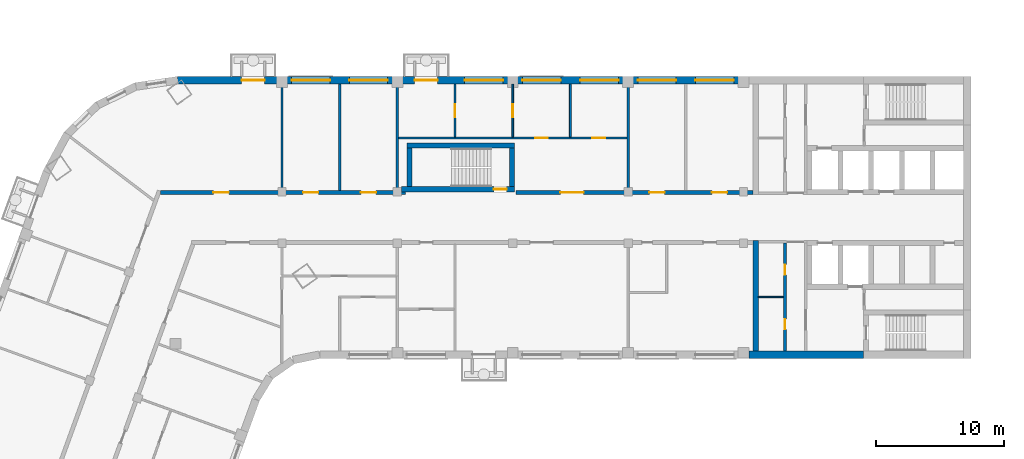
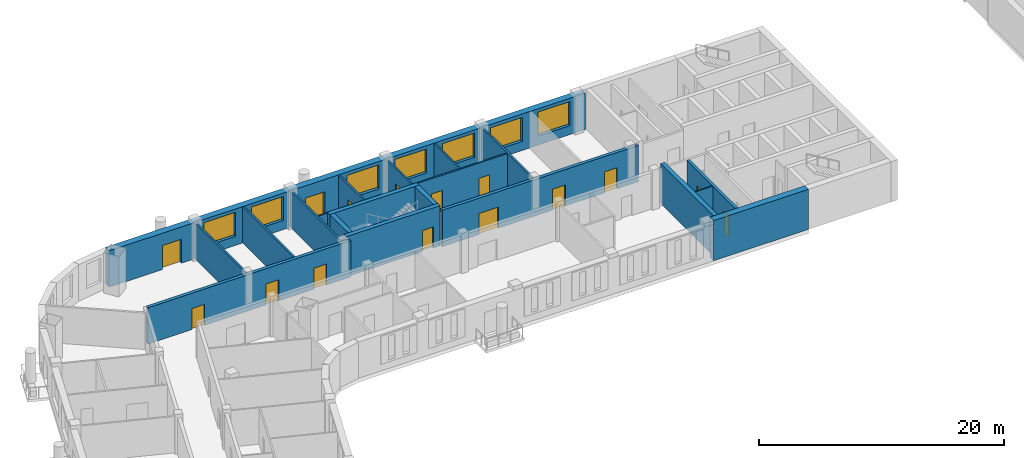
# One storey, part 5 of 13: 19 walls, 15 doors, 7 windows, 22 openings.
"""IFC4 building model written with IfcOpenShell, lengths in metres."""

import ifcopenshell
import ifcopenshell.guid

model = None  # the IFC model being written
_history = None  # IfcOwnerHistory: only IFC2X3 demands one
_inside = {}  # id of a spatial element -> (the spatial element, [elements in it])
_under = {}  # id of a project, library or spatial element -> (it, [spatial elements below it])
_declared = {}  # id of a project -> (the project, [libraries it declares])
_typed = {}  # id of a type object -> (the type object, [elements of that type])
_made_of = {}  # id of a material, layer set ... -> (it, [elements and type objects made of it])


def new_model(schema):
    """Start an empty IFC model of exactly this schema.

    Asked for "IFC4X3", IfcOpenShell would pick the latest addendum, in which some entities
    have other attributes; the version numbers below select the first issue.
    IFC2X3 requires an IfcOwnerHistory on every rooted entity: one is made here for all.
    """
    global model, _history
    if schema == "IFC4X3":
        model = ifcopenshell.file(schema_version=(4, 3, 0, 0))
    else:
        model = ifcopenshell.file(schema=schema)
    _inside.clear()
    _under.clear()
    _declared.clear()
    _typed.clear()
    _made_of.clear()
    _history = None
    if model.schema == "IFC2X3":
        org = make("IfcOrganization", Name="unknown")
        user = make(
            "IfcPersonAndOrganization",
            ThePerson=make("IfcPerson", FamilyName="unknown"),
            TheOrganization=org,
        )
        app = make(
            "IfcApplication",
            ApplicationDeveloper=org,
            Version="unknown",
            ApplicationFullName="unknown",
            ApplicationIdentifier="unknown",
        )
        _history = make(
            "IfcOwnerHistory",
            OwningUser=user,
            OwningApplication=app,
            ChangeAction="ADDED",
            CreationDate=0,
        )
    return model


def make(cls, **values):
    """One entity of the class cls with the attributes given. An attribute that is None is left unset."""
    return model.create_entity(
        cls, **{name: value for name, value in values.items() if value is not None}
    )


def rooted(cls, **values):
    """An entity with a GlobalId (a new one), such as an element, a storey or a relation."""
    return make(cls, GlobalId=ifcopenshell.guid.new(), OwnerHistory=_history, **values)


def si_unit(unit_type, name, prefix=None):
    """IfcSIUnit, for example si_unit("LENGTHUNIT", "METRE", prefix="MILLI")."""
    return make("IfcSIUnit", UnitType=unit_type, Prefix=prefix, Name=name)


def assignment(units):
    """IfcUnitAssignment: the units of a project."""
    return None if units is None else make("IfcUnitAssignment", Units=units)


def point(xyz):
    """IfcCartesianPoint."""
    return None if xyz is None else make("IfcCartesianPoint", Coordinates=xyz)


def direction(xyz):
    """IfcDirection."""
    return None if xyz is None else make("IfcDirection", DirectionRatios=xyz)


def frame(location, z_axis=None, x_axis=None):
    """IfcAxis2Placement3D, a coordinate frame: its origin and axes. An axis left out is left unset."""
    return make(
        "IfcAxis2Placement3D",
        Location=point(location),
        Axis=direction(z_axis),
        RefDirection=direction(x_axis),
    )


def frame_2d(location, x_axis=None):
    """IfcAxis2Placement2D, a coordinate frame in the plane: its origin and x axis."""
    return make(
        "IfcAxis2Placement2D", Location=point(location), RefDirection=direction(x_axis)
    )


def origin():
    """The frame at (0, 0, 0) with its axes left unset."""
    return frame((0.0, 0.0, 0.0))


def place(relative_to, where):
    """IfcLocalPlacement: puts the frame where relative to a parent placement (None: the world)."""
    return make(
        "IfcLocalPlacement", PlacementRelTo=relative_to, RelativePlacement=where
    )


def context(
    kind, dimensions, precision=None, world=None, true_north=None, identifier=None
):
    """IfcGeometricRepresentationContext, for example the 3D "Model" context."""
    return make(
        "IfcGeometricRepresentationContext",
        ContextIdentifier=identifier,
        ContextType=kind,
        CoordinateSpaceDimension=dimensions,
        Precision=precision,
        WorldCoordinateSystem=world,
        TrueNorth=true_north,
    )


def subcontext(parent, identifier, kind, view, scale=None):
    """IfcGeometricRepresentationSubContext, for example "Body" below "Model"."""
    return make(
        "IfcGeometricRepresentationSubContext",
        ContextIdentifier=identifier,
        ContextType=kind,
        ParentContext=parent,
        TargetScale=scale,
        TargetView=view,
    )


def project(units=None, contexts=None):
    """IfcProject with its units and contexts."""
    return rooted(
        "IfcProject",
        Name="project",
        RepresentationContexts=contexts,
        UnitsInContext=assignment(units),
    )


def spatial(cls, under=None, at=None, **own):
    """A site, building, storey or space (cls), placed at a placement, below another one or the project."""
    s = rooted(cls, ObjectPlacement=at, **own)
    if under is not None:
        _under.setdefault(under.id(), (under, []))[1].append(s)
    return s


def profile(cls, at=None, kind="AREA", **sizes):
    """A parametric profile (cls). Its sizes go by their IFC names, for example OverallWidth=200.0."""
    return make(cls, ProfileType=kind, Position=at, **sizes)


def rectangle(**sizes):
    """IfcRectangleProfileDef."""
    return profile("IfcRectangleProfileDef", **sizes)


def extrude(swept, where, along, depth):
    """IfcExtrudedAreaSolid: the profile swept, set in the frame where, extruded along a direction by depth."""
    return make(
        "IfcExtrudedAreaSolid",
        SweptArea=swept,
        Position=where,
        ExtrudedDirection=direction(along),
        Depth=depth,
    )


def shape(context_of_items, identifier, shape_type, items):
    """IfcShapeRepresentation: the items that make up one representation, for example the "Body"."""
    return make(
        "IfcShapeRepresentation",
        ContextOfItems=context_of_items,
        RepresentationIdentifier=identifier,
        RepresentationType=shape_type,
        Items=items,
    )


def material(Name=None, Category=None):
    """IfcMaterial."""
    return make("IfcMaterial", Name=Name, Category=Category)


def layer(
    of_material, thickness, ventilated=None, Name=None, Category=None, Priority=None
):
    """IfcMaterialLayer: one layer of a wall or slab, of a material (None: an air gap)."""
    return make(
        "IfcMaterialLayer",
        Material=of_material,
        LayerThickness=thickness,
        IsVentilated=ventilated,
        Name=Name,
        Category=Category,
        Priority=Priority,
    )


def layer_set(layers, Name=None):
    """IfcMaterialLayerSet."""
    return make("IfcMaterialLayerSet", MaterialLayers=layers, LayerSetName=Name)


def made_of(thing, what):
    """Note that an element or type object is made of a material, layer set ...; save() writes the relation."""
    if what is not None:
        _made_of.setdefault(what.id(), (what, []))[1].append(thing)
    return thing


def type_object(cls, material=None, **own):
    """A type object (cls), such as IfcWallType, which elements share."""
    return made_of(rooted(cls, **own), material)


def element(
    cls,
    number,
    at=None,
    inside=None,
    cuts=None,
    type_object=None,
    material=None,
    context=None,
    identifier="Body",
    shape_type=None,
    held_by="IfcProductDefinitionShape",
    body=None,
    shapes=None,
    **own,
):
    """One element of the class cls, such as IfcWall. Its Tag is "e" and its number.

    at: its placement. inside: the storey or other place that contains it. cuts: it is an
    opening in that element (IfcRelVoidsElement). A single representation is given by context,
    identifier, shape_type and body (its items); several are given by shapes. held_by: the class
    of the entity that holds the representations. save() writes the other relations.
    """
    e = rooted(cls, Tag="e%d" % number, ObjectPlacement=at, **own)
    if body is not None:
        shapes = [shape(context, identifier, shape_type, body)]
    if shapes is not None:
        e.Representation = make(held_by, Representations=shapes)
    if inside is not None:
        _inside.setdefault(inside.id(), (inside, []))[1].append(e)
    if cuts is not None:
        rooted(
            "IfcRelVoidsElement", RelatingBuildingElement=cuts, RelatedOpeningElement=e
        )
    if type_object is not None:
        _typed.setdefault(type_object.id(), (type_object, []))[1].append(e)
    return made_of(e, material)


def fill(opening, filler):
    """IfcRelFillsElement: the door or window that sits in an opening."""
    return rooted(
        "IfcRelFillsElement",
        RelatingOpeningElement=opening,
        RelatedBuildingElement=filler,
    )


def aggregate(whole, parts):
    """IfcRelAggregates: a whole, such as a stair, and the parts it consists of."""
    return rooted("IfcRelAggregates", RelatingObject=whole, RelatedObjects=parts)


def save(model, path):
    """Write the relations noted so far, then the file.

    IfcRelAggregates (storeys below a building ...), IfcRelContainedInSpatialStructure (elements
    in a storey), IfcRelDefinesByType, IfcRelAssociatesMaterial and IfcRelDeclares: one each for
    every whole, place, type object, material and project.
    """
    for whole, parts in _under.values():
        aggregate(whole, parts)
    for where, things in _inside.values():
        rooted(
            "IfcRelContainedInSpatialStructure",
            RelatedElements=things,
            RelatingStructure=where,
        )
    for kind, things in _typed.values():
        rooted("IfcRelDefinesByType", RelatedObjects=things, RelatingType=kind)
    for what, things in _made_of.values():
        rooted("IfcRelAssociatesMaterial", RelatedObjects=things, RelatingMaterial=what)
    for by, libraries in _declared.values():
        rooted("IfcRelDeclares", RelatingContext=by, RelatedDefinitions=libraries)
    model.write(path)


model = new_model("IFC4")

# Units and contexts
model_context = context("Model", 3, precision=1e-05, world=origin(), true_north=direction((0.0, 1.0)))
body_context = subcontext(model_context, "Body", "Model", "MODEL_VIEW")
ifc_project = project(units=[si_unit("LENGTHUNIT", "METRE"), si_unit("AREAUNIT", "SQUARE_METRE"), si_unit("VOLUMEUNIT", "CUBIC_METRE"), si_unit("PLANEANGLEUNIT", "RADIAN"), si_unit("MASSUNIT", "GRAM", prefix="KILO")], contexts=[model_context])

# Site, building, storey
site_placement = place(None, origin())
site = spatial("IfcSite", under=ifc_project, at=site_placement, CompositionType="ELEMENT")
building_placement = place(site_placement, origin())
building = spatial("IfcBuilding", under=site, at=building_placement, Name="Skarvind Civic Tower", CompositionType="ELEMENT")
storey_placement = place(building_placement, frame((0.0, 0.0, 93.0)))
storey = spatial("IfcBuildingStorey", under=building, at=storey_placement, Name="L21", CompositionType="ELEMENT", Elevation=93.0)

# Walls
ifc_material_1 = material(Name="Acoustic gypsum board on steel studs", Category="steel")
ifc_layer_1 = layer(ifc_material_1, 0.175048828125)
ifc_layer_set_1 = layer_set([ifc_layer_1], Name="ACOUSTIC MEETING-ROOM PARTITION 175")
wall_type_1 = type_object("IfcWallType", Name="ACOUSTIC MEETING-ROOM PARTITION 175", PredefinedType="PARTITIONING", material=ifc_layer_set_1)
for number, where, z_axis, x_axis, name in (
    (1, (54.25, 138.39990234375, 0.0), (0.0, 0.0, 1.0), (0.0, -1.0, 0.0), "Partition 21.021"),
    (2, (58.75, 130.10009765625, 0.0), (0.0, 0.0, 1.0), (0.0, 1.0, 0.0), "Partition 21.023"),
    (3, (63.25, 130.10009765625, 0.0), (0.0, 0.0, 1.0), (0.0, 1.0, 0.0), "Partition 21.028"),
    (4, (81.25, 130.10009765625, 0.0), (0.0, 0.0, 1.0), (0.0, 1.0, 0.0), "Partition 21.036"),
):
    element("IfcWall", number, at=place(storey_placement, frame(where, z_axis=z_axis, x_axis=x_axis)), inside=storey, type_object=wall_type_1, Name=name, PredefinedType="PARTITIONING", context=body_context, shape_type="SweptSolid", body=[
        extrude(rectangle(XDim=8.2998046875, YDim=0.175048828125, at=frame_2d((4.14990234375, 0.0))), origin(), (0.0, 0.0, 1.0), 3.625),
    ])

# Wall, openings, doors
ifc_material_2 = material(Name="Fire-rated gypsum board on steel studs", Category="steel")
ifc_layer_2 = layer(ifc_material_2, 0.300048828125)
ifc_layer_set_2 = layer_set([ifc_layer_2], Name="CORRIDOR WALL 300")
wall_type_2 = type_object("IfcWallType", Name="CORRIDOR WALL 300", PredefinedType="PARTITIONING", material=ifc_layer_set_2)
wall_1_placement = place(storey_placement, frame((44.784912109375, 129.949951171875, 0.0), z_axis=(0.0, 0.0, 1.0), x_axis=(1.0, 0.0, 0.0)))
wall_1 = element("IfcWall", 5, at=wall_1_placement, inside=storey, type_object=wall_type_2, Name="Partition 21.015", PredefinedType="PARTITIONING", context=body_context, shape_type="SweptSolid", body=[
    extrude(rectangle(XDim=19.114990234375, YDim=0.300048828125, at=frame_2d((9.5576171875, 0.0))), origin(), (0.0, 0.0, 1.0), 3.625),
])
opening_1_placement = place(wall_1_placement, frame((15.614990234375, 0.0, 0.0)))
opening_1 = element("IfcOpeningElement", 6, at=opening_1_placement, cuts=wall_1, Name="Opening L21-D006", PredefinedType="OPENING", context=body_context, shape_type="SweptSolid", body=[
    extrude(rectangle(XDim=1.199951171875, YDim=2.10009765625, at=frame_2d((0.60009765625, 1.050048828125))), frame((0.0, 0.159912109375, 0.0), z_axis=(0.0, -1.0, 0.0), x_axis=(1.0, 0.0, 0.0)), (0.0, 0.0, 1.0), 0.320068359375),
])
opening_2_placement = place(wall_1_placement, frame((11.114990234375, 0.0, 0.0)))
opening_2 = element("IfcOpeningElement", 7, at=opening_2_placement, cuts=wall_1, Name="Opening L21-D007", PredefinedType="OPENING", context=body_context, shape_type="SweptSolid", body=[
    extrude(rectangle(XDim=1.199951171875, YDim=2.10009765625, at=frame_2d((0.60009765625, 1.050048828125))), frame((0.0, 0.159912109375, 0.0), z_axis=(0.0, -1.0, 0.0), x_axis=(1.0, 0.0, 0.0)), (0.0, 0.0, 1.0), 0.320068359375),
])
opening_3_placement = place(wall_1_placement, frame((4.12255859375, 0.0, 0.0)))
opening_3 = element("IfcOpeningElement", 8, at=opening_3_placement, cuts=wall_1, Name="Opening L21-D026", PredefinedType="OPENING", context=body_context, shape_type="SweptSolid", body=[
    extrude(rectangle(XDim=1.199951171875, YDim=2.10009765625, at=frame_2d((0.60009765625, 1.050048828125))), frame((0.0, 0.159912109375, 0.0), z_axis=(0.0, -1.0, 0.0), x_axis=(1.0, 0.0, 0.0)), (0.0, 0.0, 1.0), 0.320068359375),
])
ifc_material_3 = material(Name="Fire-rated timber door leaf", Category="wood")
door_type_1 = type_object("IfcDoorType", Name="FD6 1200x2100 DOUBLE", OperationType="NOTDEFINED", PredefinedType="DOOR", material=ifc_material_3)
door_1_placement = place(opening_1_placement, origin())
door_1 = element("IfcDoor", 9, at=door_1_placement, inside=storey, type_object=door_type_1, Name="Door L21-D006", OperationType="DOUBLE_DOOR_SINGLE_SWING", OverallHeight=2.10009765625, OverallWidth=1.199951171875, PredefinedType="DOOR", context=body_context, shape_type="SweptSolid", body=[
    extrude(rectangle(XDim=1.199951171875, YDim=2.10009765625, at=frame_2d((0.60009765625, 1.050048828125))), frame((0.0, 0.02490234375, 0.0), z_axis=(0.0, -1.0, 0.0), x_axis=(1.0, 0.0, 0.0)), (0.0, 0.0, 1.0), 0.050048828125),
])
fill(opening_1, door_1)
door_2_placement = place(opening_2_placement, origin())
door_2 = element("IfcDoor", 10, at=door_2_placement, inside=storey, type_object=door_type_1, Name="Door L21-D007", OperationType="DOUBLE_DOOR_SINGLE_SWING", OverallHeight=2.10009765625, OverallWidth=1.199951171875, PredefinedType="DOOR", context=body_context, shape_type="SweptSolid", body=[
    extrude(rectangle(XDim=1.199951171875, YDim=2.10009765625, at=frame_2d((0.60009765625, 1.050048828125))), frame((0.0, 0.02490234375, 0.0), z_axis=(0.0, -1.0, 0.0), x_axis=(1.0, 0.0, 0.0)), (0.0, 0.0, 1.0), 0.050048828125),
])
fill(opening_2, door_2)
door_3_placement = place(opening_3_placement, origin())
door_3 = element("IfcDoor", 11, at=door_3_placement, inside=storey, type_object=door_type_1, Name="Door L21-D026", OperationType="DOUBLE_DOOR_SINGLE_SWING", OverallHeight=2.10009765625, OverallWidth=1.199951171875, PredefinedType="DOOR", context=body_context, shape_type="SweptSolid", body=[
    extrude(rectangle(XDim=1.199951171875, YDim=2.10009765625, at=frame_2d((0.60009765625, 1.050048828125))), frame((0.0, 0.02490234375, 0.0), z_axis=(0.0, -1.0, 0.0), x_axis=(1.0, 0.0, 0.0)), (0.0, 0.0, 1.0), 0.050048828125),
])
fill(opening_3, door_3)

wall_2_placement = place(storey_placement, frame((72.5, 129.949951171875, 0.0), z_axis=(0.0, 0.0, 1.0), x_axis=(1.0, 0.0, 0.0)))
wall_2 = element("IfcWall", 12, at=wall_2_placement, inside=storey, type_object=wall_type_2, Name="Partition 21.033", PredefinedType="PARTITIONING", context=body_context, shape_type="SweptSolid", body=[
    extrude(rectangle(XDim=18.5, YDim=0.300048828125, at=frame_2d((9.25, 0.0))), origin(), (0.0, 0.0, 1.0), 3.625),
])
opening_4_placement = place(wall_2_placement, frame((15.27490234375, 0.0, 0.0)))
opening_4 = element("IfcOpeningElement", 13, at=opening_4_placement, cuts=wall_2, Name="Opening L21-D001", PredefinedType="OPENING", context=body_context, shape_type="SweptSolid", body=[
    extrude(rectangle(XDim=1.199951171875, YDim=2.10009765625, at=frame_2d((0.60009765625, 1.050048828125))), frame((0.0, 0.159912109375, 0.0), z_axis=(0.0, -1.0, 0.0), x_axis=(1.0, 0.0, 0.0)), (0.0, 0.0, 1.0), 0.320068359375),
])
opening_5_placement = place(wall_2_placement, frame((10.39990234375, 0.0, 0.0)))
opening_5 = element("IfcOpeningElement", 14, at=opening_5_placement, cuts=wall_2, Name="Opening L21-D002", PredefinedType="OPENING", context=body_context, shape_type="SweptSolid", body=[
    extrude(rectangle(XDim=1.199951171875, YDim=2.10009765625, at=frame_2d((0.60009765625, 1.050048828125))), frame((0.0, 0.159912109375, 0.0), z_axis=(0.0, -1.0, 0.0), x_axis=(1.0, 0.0, 0.0)), (0.0, 0.0, 1.0), 0.320068359375),
])
opening_6_placement = place(wall_2_placement, frame((3.47509765625, 0.0, 0.0)))
opening_6 = element("IfcOpeningElement", 15, at=opening_6_placement, cuts=wall_2, Name="Opening L21-D005", PredefinedType="OPENING", context=body_context, shape_type="SweptSolid", body=[
    extrude(rectangle(XDim=1.800048828125, YDim=2.10009765625, at=frame_2d((0.89990234375, 1.050048828125))), frame((0.0, 0.159912109375, 0.0), z_axis=(0.0, -1.0, 0.0), x_axis=(1.0, 0.0, 0.0)), (0.0, 0.0, 1.0), 0.320068359375),
])
door_type_2 = type_object("IfcDoorType", Name="FD4 1800x2100", OperationType="NOTDEFINED", PredefinedType="DOOR", material=ifc_material_3)
door_4_placement = place(opening_6_placement, origin())
door_4 = element("IfcDoor", 16, at=door_4_placement, inside=storey, type_object=door_type_2, Name="Door L21-D005", OperationType="DOUBLE_DOOR_SINGLE_SWING", OverallHeight=2.10009765625, OverallWidth=1.800048828125, PredefinedType="DOOR", context=body_context, shape_type="SweptSolid", body=[
    extrude(rectangle(XDim=1.800048828125, YDim=2.10009765625, at=frame_2d((0.89990234375, 1.050048828125))), frame((0.0, 0.02490234375, 0.0), z_axis=(0.0, -1.0, 0.0), x_axis=(1.0, 0.0, 0.0)), (0.0, 0.0, 1.0), 0.050048828125),
])
fill(opening_6, door_4)
door_5_placement = place(opening_4_placement, origin())
door_5 = element("IfcDoor", 17, at=door_5_placement, inside=storey, type_object=door_type_1, Name="Door L21-D001", OperationType="DOUBLE_DOOR_SINGLE_SWING", OverallHeight=2.10009765625, OverallWidth=1.199951171875, PredefinedType="DOOR", context=body_context, shape_type="SweptSolid", body=[
    extrude(rectangle(XDim=1.199951171875, YDim=2.10009765625, at=frame_2d((0.60009765625, 1.050048828125))), frame((0.0, 0.02490234375, 0.0), z_axis=(0.0, -1.0, 0.0), x_axis=(1.0, 0.0, 0.0)), (0.0, 0.0, 1.0), 0.050048828125),
])
fill(opening_4, door_5)
door_6_placement = place(opening_5_placement, origin())
door_6 = element("IfcDoor", 18, at=door_6_placement, inside=storey, type_object=door_type_1, Name="Door L21-D002", OperationType="DOUBLE_DOOR_SINGLE_SWING", OverallHeight=2.10009765625, OverallWidth=1.199951171875, PredefinedType="DOOR", context=body_context, shape_type="SweptSolid", body=[
    extrude(rectangle(XDim=1.199951171875, YDim=2.10009765625, at=frame_2d((0.60009765625, 1.050048828125))), frame((0.0, 0.02490234375, 0.0), z_axis=(0.0, -1.0, 0.0), x_axis=(1.0, 0.0, 0.0)), (0.0, 0.0, 1.0), 0.050048828125),
])
fill(opening_5, door_6)

# Walls
ifc_material_4 = material(Name="Fire-rated plasterboard partition")
ifc_layer_3 = layer(ifc_material_4, 0.10009765625)
ifc_layer_set_3 = layer_set([ifc_layer_3], Name="Core partition wall 100")
wall_type_3 = type_object("IfcWallType", Name="Core partition wall 100", PredefinedType="PARTITIONING", material=ifc_layer_set_3)
wall_3_placement = place(storey_placement, frame((93.35009765625, 121.800048828125, 0.0), z_axis=(0.0, 0.0, 1.0), x_axis=(-1.0, 0.0, 0.0)))
element("IfcWall", 19, at=wall_3_placement, inside=storey, type_object=wall_type_3, Name="Core wall C1", PredefinedType="PARTITIONING", context=body_context, shape_type="SweptSolid", body=[
    extrude(rectangle(XDim=1.9501953125, YDim=0.10009765625, at=frame_2d((0.97509765625, 0.0))), origin(), (0.0, 0.0, 1.0), 3.625),
])
ifc_material_5 = material(Name="Concrete C80", Category="concrete")
ifc_layer_4 = layer(ifc_material_5, 0.39990234375)
ifc_layer_set_4 = layer_set([ifc_layer_4], Name="Core wall 400 C80")
wall_type_4 = type_object("IfcWallType", Name="Core wall 400 C80", PredefinedType="SHEAR", material=ifc_layer_set_4)
wall_4_placement = place(storey_placement, frame((91.199951171875, 126.199951171875, 0.0), z_axis=(0.0, 0.0, 1.0), x_axis=(0.0, -1.0, 0.0)))
element("IfcWall", 20, at=wall_4_placement, inside=storey, type_object=wall_type_4, Name="Core wall C1 north inner face L21", PredefinedType="SHEAR", context=body_context, shape_type="SweptSolid", body=[
    extrude(rectangle(XDim=8.599853515625, YDim=0.39990234375, at=frame_2d((4.2998046875, 0.0))), origin(), (0.0, 0.0, 1.0), 4.0),
])

# Wall, opening, door
wall_5_placement = place(storey_placement, frame((63.574951171875, 130.199951171875, 0.0), z_axis=(0.0, 0.0, 1.0), x_axis=(1.0, 0.0, 0.0)))
wall_5 = element("IfcWall", 21, at=wall_5_placement, inside=storey, type_object=wall_type_4, Name="Core wall CM inner L21", PredefinedType="SHEAR", context=body_context, shape_type="SweptSolid", body=[
    extrude(rectangle(XDim=8.824951171875, YDim=0.39990234375, at=frame_2d((4.41259765625, 0.0))), origin(), (0.0, 0.0, 1.0), 4.0),
])
opening_7_placement = place(wall_5_placement, frame((7.199951171875, 0.0, 0.0)))
opening_7 = element("IfcOpeningElement", 22, at=opening_7_placement, cuts=wall_5, Name="Opening D-L21-CM-01", PredefinedType="OPENING", context=body_context, shape_type="SweptSolid", body=[
    extrude(rectangle(XDim=1.0, YDim=2.10009765625, at=frame_2d((0.5, 1.050048828125))), frame((0.0, 0.2099609375, 0.0), z_axis=(0.0, -1.0, 0.0), x_axis=(1.0, 0.0, 0.0)), (0.0, 0.0, 1.0), 0.419921875),
])
ifc_material_6 = material(Name="Fire-rated steel door", Category="steel")
door_type_3 = type_object("IfcDoorType", Name="Fire door 1000", OperationType="NOTDEFINED", PredefinedType="DOOR", material=ifc_material_6)
door_7_placement = place(opening_7_placement, origin())
door_7 = element("IfcDoor", 23, at=door_7_placement, inside=storey, type_object=door_type_3, Name="Fire door", OperationType="SINGLE_SWING_LEFT", OverallHeight=2.10009765625, OverallWidth=1.0, PredefinedType="DOOR", context=body_context, shape_type="SweptSolid", body=[
    extrude(rectangle(XDim=1.0, YDim=2.10009765625, at=frame_2d((0.5, 1.050048828125))), frame((0.0, 0.02490234375, 0.0), z_axis=(0.0, -1.0, 0.0), x_axis=(1.0, 0.0, 0.0)), (0.0, 0.0, 1.0), 0.050048828125),
])
fill(opening_7, door_7)

# Walls
wall_6_placement = place(storey_placement, frame((64.0, 133.60009765625, 0.0), z_axis=(0.0, 0.0, 1.0), x_axis=(1.0, 0.0, 0.0)))
element("IfcWall", 24, at=wall_6_placement, inside=storey, type_object=wall_type_4, Name="Core wall CM outer L21", PredefinedType="SHEAR", context=body_context, shape_type="SweptSolid", body=[
    extrude(rectangle(XDim=8.39990234375, YDim=0.39990234375, at=frame_2d((4.199951171875, 0.0))), origin(), (0.0, 0.0, 1.0), 4.0),
])
for number, where, z_axis, x_axis, name in (
    (25, (64.199951171875, 130.39990234375, 0.0), (0.0, 0.0, 1.0), (0.0, 1.0, 0.0), "Core wall CM west L21"),
    (26, (72.199951171875, 130.39990234375, 0.0), (0.0, 0.0, 1.0), (0.0, 1.0, 0.0), "Core wall CM end L21"),
):
    element("IfcWall", number, at=place(storey_placement, frame(where, z_axis=z_axis, x_axis=x_axis)), inside=storey, type_object=wall_type_4, Name=name, PredefinedType="SHEAR", context=body_context, shape_type="SweptSolid", body=[
        extrude(rectangle(XDim=3.0, YDim=0.39990234375, at=frame_2d((1.5, 0.0))), origin(), (0.0, 0.0, 1.0), 4.0),
    ])
ifc_layer_5 = layer(ifc_material_5, 0.60009765625)
ifc_layer_set_5 = layer_set([ifc_layer_5], Name="Core wall 600 C80")
wall_type_5 = type_object("IfcWallType", Name="Core wall 600 C80", PredefinedType="SHEAR", material=ifc_layer_set_5)
wall_7_placement = place(storey_placement, frame((99.60009765625, 117.300048828125, 0.0), z_axis=(0.0, 0.0, 1.0), x_axis=(-1.0, 0.0, 0.0)))
element("IfcWall", 27, at=wall_7_placement, inside=storey, type_object=wall_type_5, Name="Core wall C1 north side L21", PredefinedType="SHEAR", context=body_context, shape_type="SweptSolid", body=[
    extrude(rectangle(XDim=8.925048828125, YDim=0.60009765625, at=frame_2d((4.46240234375, 0.0))), origin(), (0.0, 0.0, 1.0), 4.0),
])

# Wall, openings, doors
ifc_material_7 = material(Name="Plasterboard partition on steel studs", Category="steel")
ifc_layer_6 = layer(ifc_material_7, 0.14990234375)
ifc_layer_set_6 = layer_set([ifc_layer_6], Name="PARTITION 150")
wall_type_6 = type_object("IfcWallType", Name="PARTITION 150", PredefinedType="PARTITIONING", material=ifc_layer_set_6)
wall_8_placement = place(storey_placement, frame((81.162109375, 134.199951171875, 0.0), z_axis=(0.0, 0.0, 1.0), x_axis=(-1.0, 0.0, 0.0)))
wall_8 = element("IfcWall", 28, at=wall_8_placement, inside=storey, type_object=wall_type_6, Name="Partition 21.029", PredefinedType="PARTITIONING", context=body_context, shape_type="SweptSolid", body=[
    extrude(rectangle(XDim=17.82421875, YDim=0.14990234375, at=frame_2d((8.912109375, 0.0))), origin(), (0.0, 0.0, 1.0), 3.625),
])
opening_8_placement = place(wall_8_placement, frame((1.696044921875, 0.0, 0.0)))
opening_8 = element("IfcOpeningElement", 29, at=opening_8_placement, cuts=wall_8, Name="Opening L21-D003", PredefinedType="OPENING", context=body_context, shape_type="SweptSolid", body=[
    extrude(rectangle(XDim=1.0, YDim=2.10009765625, at=frame_2d((0.5, 1.050048828125))), frame((0.0, 0.0849609375, 0.0), z_axis=(0.0, -1.0, 0.0), x_axis=(1.0, 0.0, 0.0)), (0.0, 0.0, 1.0), 0.169921875),
])
opening_9_placement = place(wall_8_placement, frame((6.162109375, 0.0, 0.0)))
opening_9 = element("IfcOpeningElement", 30, at=opening_9_placement, cuts=wall_8, Name="Opening L21-D004", PredefinedType="OPENING", context=body_context, shape_type="SweptSolid", body=[
    extrude(rectangle(XDim=1.0, YDim=2.10009765625, at=frame_2d((0.5, 1.050048828125))), frame((0.0, 0.0849609375, 0.0), z_axis=(0.0, -1.0, 0.0), x_axis=(1.0, 0.0, 0.0)), (0.0, 0.0, 1.0), 0.169921875),
])
ifc_material_8 = material(Name="Timber door leaf", Category="wood")
door_type_4 = type_object("IfcDoorType", Name="D1 1000x2100", OperationType="NOTDEFINED", PredefinedType="DOOR", material=ifc_material_8)
door_8_placement = place(opening_8_placement, origin())
door_8 = element("IfcDoor", 31, at=door_8_placement, inside=storey, type_object=door_type_4, Name="Door L21-D003", OperationType="SINGLE_SWING_LEFT", OverallHeight=2.10009765625, OverallWidth=1.0, PredefinedType="DOOR", context=body_context, shape_type="SweptSolid", body=[
    extrude(rectangle(XDim=1.0, YDim=2.10009765625, at=frame_2d((0.5, 1.050048828125))), frame((0.0, 0.02490234375, 0.0), z_axis=(0.0, -1.0, 0.0), x_axis=(1.0, 0.0, 0.0)), (0.0, 0.0, 1.0), 0.050048828125),
])
fill(opening_8, door_8)
door_9_placement = place(opening_9_placement, origin())
door_9 = element("IfcDoor", 32, at=door_9_placement, inside=storey, type_object=door_type_4, Name="Door L21-D004", OperationType="SINGLE_SWING_RIGHT", OverallHeight=2.10009765625, OverallWidth=1.0, PredefinedType="DOOR", context=body_context, shape_type="SweptSolid", body=[
    extrude(rectangle(XDim=1.0, YDim=2.10009765625, at=frame_2d((0.5, 1.050048828125))), frame((0.0, 0.02490234375, 0.0), z_axis=(0.0, -1.0, 0.0), x_axis=(1.0, 0.0, 0.0)), (0.0, 0.0, 1.0), 0.050048828125),
])
fill(opening_9, door_9)

# Wall, opening, door
wall_9_placement = place(storey_placement, frame((67.75, 134.27490234375, 0.0), z_axis=(0.0, 0.0, 1.0), x_axis=(0.0, 1.0, 0.0)))
wall_9 = element("IfcWall", 33, at=wall_9_placement, inside=storey, type_object=wall_type_6, Name="Partition 21.031", PredefinedType="PARTITIONING", context=body_context, shape_type="SweptSolid", body=[
    extrude(rectangle(XDim=4.125, YDim=0.14990234375, at=frame_2d((2.0625, 0.0))), origin(), (0.0, 0.0, 1.0), 3.625),
])
opening_10_placement = place(wall_9_placement, frame((1.552490234375, 0.0, 0.0)))
opening_10 = element("IfcOpeningElement", 34, at=opening_10_placement, cuts=wall_9, Name="Opening L21-D031", PredefinedType="OPENING", context=body_context, shape_type="SweptSolid", body=[
    extrude(rectangle(XDim=1.0, YDim=2.10009765625, at=frame_2d((0.5, 1.050048828125))), frame((0.0, 0.0849609375, 0.0), z_axis=(0.0, -1.0, 0.0), x_axis=(1.0, 0.0, 0.0)), (0.0, 0.0, 1.0), 0.169921875),
])
door_10_placement = place(opening_10_placement, origin())
door_10 = element("IfcDoor", 35, at=door_10_placement, inside=storey, type_object=door_type_4, Name="Door L21-D031", OperationType="SINGLE_SWING_LEFT", OverallHeight=2.10009765625, OverallWidth=1.0, PredefinedType="DOOR", context=body_context, shape_type="SweptSolid", body=[
    extrude(rectangle(XDim=1.0, YDim=2.10009765625, at=frame_2d((0.5, 1.050048828125))), frame((0.0, 0.02490234375, 0.0), z_axis=(0.0, -1.0, 0.0), x_axis=(1.0, 0.0, 0.0)), (0.0, 0.0, 1.0), 0.050048828125),
])
fill(opening_10, door_10)

wall_10_placement = place(storey_placement, frame((72.25, 134.27490234375, 0.0), z_axis=(0.0, 0.0, 1.0), x_axis=(0.0, 1.0, 0.0)))
wall_10 = element("IfcWall", 36, at=wall_10_placement, inside=storey, type_object=wall_type_6, Name="Partition 21.032", PredefinedType="PARTITIONING", context=body_context, shape_type="SweptSolid", body=[
    extrude(rectangle(XDim=4.125, YDim=0.14990234375, at=frame_2d((2.0625, 0.0))), origin(), (0.0, 0.0, 1.0), 3.625),
])
opening_11_placement = place(wall_10_placement, frame((1.552490234375, 0.0, 0.0)))
opening_11 = element("IfcOpeningElement", 37, at=opening_11_placement, cuts=wall_10, Name="Opening L21-D030", PredefinedType="OPENING", context=body_context, shape_type="SweptSolid", body=[
    extrude(rectangle(XDim=1.0, YDim=2.10009765625, at=frame_2d((0.5, 1.050048828125))), frame((0.0, 0.0849609375, 0.0), z_axis=(0.0, -1.0, 0.0), x_axis=(1.0, 0.0, 0.0)), (0.0, 0.0, 1.0), 0.169921875),
])
door_11_placement = place(opening_11_placement, origin())
door_11 = element("IfcDoor", 38, at=door_11_placement, inside=storey, type_object=door_type_4, Name="Door L21-D030", OperationType="SINGLE_SWING_LEFT", OverallHeight=2.10009765625, OverallWidth=1.0, PredefinedType="DOOR", context=body_context, shape_type="SweptSolid", body=[
    extrude(rectangle(XDim=1.0, YDim=2.10009765625, at=frame_2d((0.5, 1.050048828125))), frame((0.0, 0.02490234375, 0.0), z_axis=(0.0, -1.0, 0.0), x_axis=(1.0, 0.0, 0.0)), (0.0, 0.0, 1.0), 0.050048828125),
])
fill(opening_11, door_11)

# Wall
wall_11_placement = place(storey_placement, frame((76.75, 134.27490234375, 0.0), z_axis=(0.0, 0.0, 1.0), x_axis=(0.0, 1.0, 0.0)))
element("IfcWall", 39, at=wall_11_placement, inside=storey, type_object=wall_type_6, Name="Partition 21.034", PredefinedType="PARTITIONING", context=body_context, shape_type="SweptSolid", body=[
    extrude(rectangle(XDim=4.125, YDim=0.14990234375, at=frame_2d((2.0625, 0.0))), origin(), (0.0, 0.0, 1.0), 3.625),
])

# Wall, openings, doors
ifc_material_9 = material(Name="Fire-rated masonry partition", Category="masonry")
ifc_layer_7 = layer(ifc_material_9, 0.25)
ifc_layer_set_7 = layer_set([ifc_layer_7], Name="Service block wall 250")
wall_type_7 = type_object("IfcWallType", Name="Service block wall 250", PredefinedType="PARTITIONING", material=ifc_layer_set_7)
wall_12_placement = place(storey_placement, frame((93.47509765625, 117.60009765625, 0.0), z_axis=(0.0, 0.0, 1.0), x_axis=(0.0, 1.0, 0.0)))
wall_12 = element("IfcWall", 40, at=wall_12_placement, inside=storey, type_object=wall_type_7, Name="Core wall C1", PredefinedType="PARTITIONING", context=body_context, shape_type="SweptSolid", body=[
    extrude(rectangle(XDim=8.39990234375, YDim=0.25, at=frame_2d((4.199951171875, 0.0))), origin(), (0.0, 0.0, 1.0), 3.625),
])
opening_12_placement = place(wall_12_placement, frame((5.925048828125, 0.0, 0.0)))
opening_12 = element("IfcOpeningElement", 41, at=opening_12_placement, cuts=wall_12, Name="Opening D-L21-C1-09", PredefinedType="OPENING", context=body_context, shape_type="SweptSolid", body=[
    extrude(rectangle(XDim=0.800048828125, YDim=2.10009765625, at=frame_2d((0.39990234375, 1.050048828125))), frame((0.0, 0.135009765625, 0.0), z_axis=(0.0, -1.0, 0.0), x_axis=(1.0, 0.0, 0.0)), (0.0, 0.0, 1.0), 0.27001953125),
])
opening_13_placement = place(wall_12_placement, frame((1.675048828125, 0.0, 0.0)))
opening_13 = element("IfcOpeningElement", 42, at=opening_13_placement, cuts=wall_12, Name="Opening D-L21-C1-10", PredefinedType="OPENING", context=body_context, shape_type="SweptSolid", body=[
    extrude(rectangle(XDim=0.800048828125, YDim=2.10009765625, at=frame_2d((0.39990234375, 1.050048828125))), frame((0.0, 0.135009765625, 0.0), z_axis=(0.0, -1.0, 0.0), x_axis=(1.0, 0.0, 0.0)), (0.0, 0.0, 1.0), 0.27001953125),
])
door_type_5 = type_object("IfcDoorType", Name="Core riser door 800", OperationType="NOTDEFINED", PredefinedType="DOOR", material=ifc_material_6)
door_12_placement = place(opening_12_placement, origin())
door_12 = element("IfcDoor", 43, at=door_12_placement, inside=storey, type_object=door_type_5, Name="Riser door", OperationType="SINGLE_SWING_LEFT", OverallHeight=2.10009765625, OverallWidth=0.800048828125, PredefinedType="DOOR", context=body_context, shape_type="SweptSolid", body=[
    extrude(rectangle(XDim=0.800048828125, YDim=2.10009765625, at=frame_2d((0.39990234375, 1.050048828125))), frame((0.0, 0.02490234375, 0.0), z_axis=(0.0, -1.0, 0.0), x_axis=(1.0, 0.0, 0.0)), (0.0, 0.0, 1.0), 0.050048828125),
])
fill(opening_12, door_12)
door_13_placement = place(opening_13_placement, origin())
door_13 = element("IfcDoor", 44, at=door_13_placement, inside=storey, type_object=door_type_5, Name="Riser door", OperationType="SINGLE_SWING_RIGHT", OverallHeight=2.10009765625, OverallWidth=0.800048828125, PredefinedType="DOOR", context=body_context, shape_type="SweptSolid", body=[
    extrude(rectangle(XDim=0.800048828125, YDim=2.10009765625, at=frame_2d((0.39990234375, 1.050048828125))), frame((0.0, 0.02490234375, 0.0), z_axis=(0.0, -1.0, 0.0), x_axis=(1.0, 0.0, 0.0)), (0.0, 0.0, 1.0), 0.050048828125),
])
fill(opening_13, door_13)

# Wall, openings, doors, windows
ifc_material_10 = material(Name="Limestone masonry cladding on insulated backing", Category="masonry")
ifc_layer_8 = layer(ifc_material_10, 0.60009765625)
ifc_layer_set_8 = layer_set([ifc_layer_8], Name="WX1 STONE FACADE WALL 600")
wall_type_8 = type_object("IfcWallType", Name="WX1 STONE FACADE WALL 600", PredefinedType="SOLIDWALL", material=ifc_layer_set_8)
wall_13_placement = place(storey_placement, frame((46.095458984375, 138.699951171875, 0.0), z_axis=(0.0, 0.0, 1.0), x_axis=(1.0, 0.0, 0.0)))
wall_13 = element("IfcWall", 45, at=wall_13_placement, inside=storey, type_object=wall_type_8, Name="STONE FACADE WALL", PredefinedType="SOLIDWALL", context=body_context, shape_type="SweptSolid", body=[
    extrude(rectangle(XDim=44.884521484375, YDim=0.60009765625, at=frame_2d((22.4423828125, 0.0))), origin(), (0.0, 0.0, 1.0), 3.625),
])
opening_14_placement = place(wall_13_placement, frame((5.00439453125, 0.0, 0.0)))
opening_14 = element("IfcOpeningElement", 46, at=opening_14_placement, cuts=wall_13, Name="Opening DX3", PredefinedType="OPENING", context=body_context, shape_type="SweptSolid", body=[
    extrude(rectangle(XDim=1.800048828125, YDim=2.39990234375, at=frame_2d((0.89990234375, 1.199951171875))), frame((0.0, 0.31005859375, 0.0), z_axis=(0.0, -1.0, 0.0), x_axis=(1.0, 0.0, 0.0)), (0.0, 0.0, 1.0), 0.6201171875),
])
opening_15_placement = place(wall_13_placement, frame((8.904541015625, 0.0, 0.89990234375)))
opening_15 = element("IfcOpeningElement", 47, at=opening_15_placement, cuts=wall_13, Name="Opening WN1", PredefinedType="OPENING", context=body_context, shape_type="SweptSolid", body=[
    extrude(rectangle(XDim=3.0, YDim=2.39990234375, at=frame_2d((1.5, 1.199951171875))), frame((0.0, 0.31005859375, 0.0), z_axis=(0.0, -1.0, 0.0), x_axis=(1.0, 0.0, 0.0)), (0.0, 0.0, 1.0), 0.6201171875),
])
opening_16_placement = place(wall_13_placement, frame((13.404541015625, 0.0, 0.89990234375)))
opening_16 = element("IfcOpeningElement", 48, at=opening_16_placement, cuts=wall_13, Name="Opening WN1", PredefinedType="OPENING", context=body_context, shape_type="SweptSolid", body=[
    extrude(rectangle(XDim=3.0, YDim=2.39990234375, at=frame_2d((1.5, 1.199951171875))), frame((0.0, 0.31005859375, 0.0), z_axis=(0.0, -1.0, 0.0), x_axis=(1.0, 0.0, 0.0)), (0.0, 0.0, 1.0), 0.6201171875),
])
opening_17_placement = place(wall_13_placement, frame((18.50439453125, 0.0, 0.0)))
opening_17 = element("IfcOpeningElement", 49, at=opening_17_placement, cuts=wall_13, Name="Opening DX3", PredefinedType="OPENING", context=body_context, shape_type="SweptSolid", body=[
    extrude(rectangle(XDim=1.800048828125, YDim=2.39990234375, at=frame_2d((0.89990234375, 1.199951171875))), frame((0.0, 0.31005859375, 0.0), z_axis=(0.0, -1.0, 0.0), x_axis=(1.0, 0.0, 0.0)), (0.0, 0.0, 1.0), 0.6201171875),
])
opening_18_placement = place(wall_13_placement, frame((22.404541015625, 0.0, 0.89990234375)))
opening_18 = element("IfcOpeningElement", 50, at=opening_18_placement, cuts=wall_13, Name="Opening WN1", PredefinedType="OPENING", context=body_context, shape_type="SweptSolid", body=[
    extrude(rectangle(XDim=3.0, YDim=2.39990234375, at=frame_2d((1.5, 1.199951171875))), frame((0.0, 0.31005859375, 0.0), z_axis=(0.0, -1.0, 0.0), x_axis=(1.0, 0.0, 0.0)), (0.0, 0.0, 1.0), 0.6201171875),
])
opening_19_placement = place(wall_13_placement, frame((26.904541015625, 0.0, 0.89990234375)))
opening_19 = element("IfcOpeningElement", 51, at=opening_19_placement, cuts=wall_13, Name="Opening WN1", PredefinedType="OPENING", context=body_context, shape_type="SweptSolid", body=[
    extrude(rectangle(XDim=3.0, YDim=2.39990234375, at=frame_2d((1.5, 1.199951171875))), frame((0.0, 0.31005859375, 0.0), z_axis=(0.0, -1.0, 0.0), x_axis=(1.0, 0.0, 0.0)), (0.0, 0.0, 1.0), 0.6201171875),
])
opening_20_placement = place(wall_13_placement, frame((31.404541015625, 0.0, 0.89990234375)))
opening_20 = element("IfcOpeningElement", 52, at=opening_20_placement, cuts=wall_13, Name="Opening WN1", PredefinedType="OPENING", context=body_context, shape_type="SweptSolid", body=[
    extrude(rectangle(XDim=3.0, YDim=2.39990234375, at=frame_2d((1.5, 1.199951171875))), frame((0.0, 0.31005859375, 0.0), z_axis=(0.0, -1.0, 0.0), x_axis=(1.0, 0.0, 0.0)), (0.0, 0.0, 1.0), 0.6201171875),
])
opening_21_placement = place(wall_13_placement, frame((35.904541015625, 0.0, 0.89990234375)))
opening_21 = element("IfcOpeningElement", 53, at=opening_21_placement, cuts=wall_13, Name="Opening WN1", PredefinedType="OPENING", context=body_context, shape_type="SweptSolid", body=[
    extrude(rectangle(XDim=3.0, YDim=2.39990234375, at=frame_2d((1.5, 1.199951171875))), frame((0.0, 0.31005859375, 0.0), z_axis=(0.0, -1.0, 0.0), x_axis=(1.0, 0.0, 0.0)), (0.0, 0.0, 1.0), 0.6201171875),
])
opening_22_placement = place(wall_13_placement, frame((40.404541015625, 0.0, 0.89990234375)))
opening_22 = element("IfcOpeningElement", 54, at=opening_22_placement, cuts=wall_13, Name="Opening WN1", PredefinedType="OPENING", context=body_context, shape_type="SweptSolid", body=[
    extrude(rectangle(XDim=3.0, YDim=2.39990234375, at=frame_2d((1.5, 1.199951171875))), frame((0.0, 0.31005859375, 0.0), z_axis=(0.0, -1.0, 0.0), x_axis=(1.0, 0.0, 0.0)), (0.0, 0.0, 1.0), 0.6201171875),
])
ifc_material_11 = material(Name="Timber and glass doorset", Category="wood")
door_type_6 = type_object("IfcDoorType", Name="DX3 TERRACE DOORS 1800 x 2400", OperationType="NOTDEFINED", PredefinedType="DOOR", material=ifc_material_11)
door_14_placement = place(opening_14_placement, origin())
door_14 = element("IfcDoor", 55, at=door_14_placement, inside=storey, type_object=door_type_6, Name="TERRACE DOORS", OperationType="DOUBLE_DOOR_SINGLE_SWING", OverallHeight=2.39990234375, OverallWidth=1.800048828125, PredefinedType="DOOR", context=body_context, shape_type="SweptSolid", body=[
    extrude(rectangle(XDim=1.800048828125, YDim=2.39990234375, at=frame_2d((0.89990234375, 1.199951171875))), frame((0.0, 0.02490234375, 0.0), z_axis=(0.0, -1.0, 0.0), x_axis=(1.0, 0.0, 0.0)), (0.0, 0.0, 1.0), 0.050048828125),
])
fill(opening_14, door_14)
door_15_placement = place(opening_17_placement, origin())
door_15 = element("IfcDoor", 56, at=door_15_placement, inside=storey, type_object=door_type_6, Name="TERRACE DOORS", OperationType="DOUBLE_DOOR_SINGLE_SWING", OverallHeight=2.39990234375, OverallWidth=1.800048828125, PredefinedType="DOOR", context=body_context, shape_type="SweptSolid", body=[
    extrude(rectangle(XDim=1.800048828125, YDim=2.39990234375, at=frame_2d((0.89990234375, 1.199951171875))), frame((0.0, 0.02490234375, 0.0), z_axis=(0.0, -1.0, 0.0), x_axis=(1.0, 0.0, 0.0)), (0.0, 0.0, 1.0), 0.050048828125),
])
fill(opening_17, door_15)
ifc_material_12 = material(Name="Timber frame, double glazing, timber-lined reveal", Category="wood")
window_type = type_object("IfcWindowType", Name="WN1 PUNCHED STONE WINDOW 3000 x 2400", PartitioningType="SINGLE_PANEL", PredefinedType="WINDOW", material=ifc_material_12)
window_1_placement = place(opening_15_placement, origin())
window_1 = element("IfcWindow", 57, at=window_1_placement, inside=storey, type_object=window_type, Name="WN1 WINDOW", OverallHeight=2.39990234375, OverallWidth=3.0, PartitioningType="SINGLE_PANEL", PredefinedType="WINDOW", context=body_context, shape_type="SweptSolid", body=[
    extrude(rectangle(XDim=3.0, YDim=2.39990234375, at=frame_2d((1.5, 1.199951171875))), frame((0.0, 0.030029296875, 0.0), z_axis=(0.0, -1.0, 0.0), x_axis=(1.0, 0.0, 0.0)), (0.0, 0.0, 1.0), 0.06005859375),
])
fill(opening_15, window_1)
window_2_placement = place(opening_16_placement, origin())
window_2 = element("IfcWindow", 58, at=window_2_placement, inside=storey, type_object=window_type, Name="WN1 WINDOW", OverallHeight=2.39990234375, OverallWidth=3.0, PartitioningType="SINGLE_PANEL", PredefinedType="WINDOW", context=body_context, shape_type="SweptSolid", body=[
    extrude(rectangle(XDim=3.0, YDim=2.39990234375, at=frame_2d((1.5, 1.199951171875))), frame((0.0, 0.030029296875, 0.0), z_axis=(0.0, -1.0, 0.0), x_axis=(1.0, 0.0, 0.0)), (0.0, 0.0, 1.0), 0.06005859375),
])
fill(opening_16, window_2)
window_3_placement = place(opening_18_placement, origin())
window_3 = element("IfcWindow", 59, at=window_3_placement, inside=storey, type_object=window_type, Name="WN1 WINDOW", OverallHeight=2.39990234375, OverallWidth=3.0, PartitioningType="SINGLE_PANEL", PredefinedType="WINDOW", context=body_context, shape_type="SweptSolid", body=[
    extrude(rectangle(XDim=3.0, YDim=2.39990234375, at=frame_2d((1.5, 1.199951171875))), frame((0.0, 0.030029296875, 0.0), z_axis=(0.0, -1.0, 0.0), x_axis=(1.0, 0.0, 0.0)), (0.0, 0.0, 1.0), 0.06005859375),
])
fill(opening_18, window_3)
window_4_placement = place(opening_19_placement, origin())
window_4 = element("IfcWindow", 60, at=window_4_placement, inside=storey, type_object=window_type, Name="WN1 WINDOW", OverallHeight=2.39990234375, OverallWidth=3.0, PartitioningType="SINGLE_PANEL", PredefinedType="WINDOW", context=body_context, shape_type="SweptSolid", body=[
    extrude(rectangle(XDim=3.0, YDim=2.39990234375, at=frame_2d((1.5, 1.199951171875))), frame((0.0, 0.030029296875, 0.0), z_axis=(0.0, -1.0, 0.0), x_axis=(1.0, 0.0, 0.0)), (0.0, 0.0, 1.0), 0.06005859375),
])
fill(opening_19, window_4)
window_5_placement = place(opening_20_placement, origin())
window_5 = element("IfcWindow", 61, at=window_5_placement, inside=storey, type_object=window_type, Name="WN1 WINDOW", OverallHeight=2.39990234375, OverallWidth=3.0, PartitioningType="SINGLE_PANEL", PredefinedType="WINDOW", context=body_context, shape_type="SweptSolid", body=[
    extrude(rectangle(XDim=3.0, YDim=2.39990234375, at=frame_2d((1.5, 1.199951171875))), frame((0.0, 0.030029296875, 0.0), z_axis=(0.0, -1.0, 0.0), x_axis=(1.0, 0.0, 0.0)), (0.0, 0.0, 1.0), 0.06005859375),
])
fill(opening_20, window_5)
window_6_placement = place(opening_21_placement, origin())
window_6 = element("IfcWindow", 62, at=window_6_placement, inside=storey, type_object=window_type, Name="WN1 WINDOW", OverallHeight=2.39990234375, OverallWidth=3.0, PartitioningType="SINGLE_PANEL", PredefinedType="WINDOW", context=body_context, shape_type="SweptSolid", body=[
    extrude(rectangle(XDim=3.0, YDim=2.39990234375, at=frame_2d((1.5, 1.199951171875))), frame((0.0, 0.030029296875, 0.0), z_axis=(0.0, -1.0, 0.0), x_axis=(1.0, 0.0, 0.0)), (0.0, 0.0, 1.0), 0.06005859375),
])
fill(opening_21, window_6)
window_7_placement = place(opening_22_placement, origin())
window_7 = element("IfcWindow", 63, at=window_7_placement, inside=storey, type_object=window_type, Name="WN1 WINDOW", OverallHeight=2.39990234375, OverallWidth=3.0, PartitioningType="SINGLE_PANEL", PredefinedType="WINDOW", context=body_context, shape_type="SweptSolid", body=[
    extrude(rectangle(XDim=3.0, YDim=2.39990234375, at=frame_2d((1.5, 1.199951171875))), frame((0.0, 0.030029296875, 0.0), z_axis=(0.0, -1.0, 0.0), x_axis=(1.0, 0.0, 0.0)), (0.0, 0.0, 1.0), 0.06005859375),
])
fill(opening_22, window_7)

save(model, "model.ifc")
